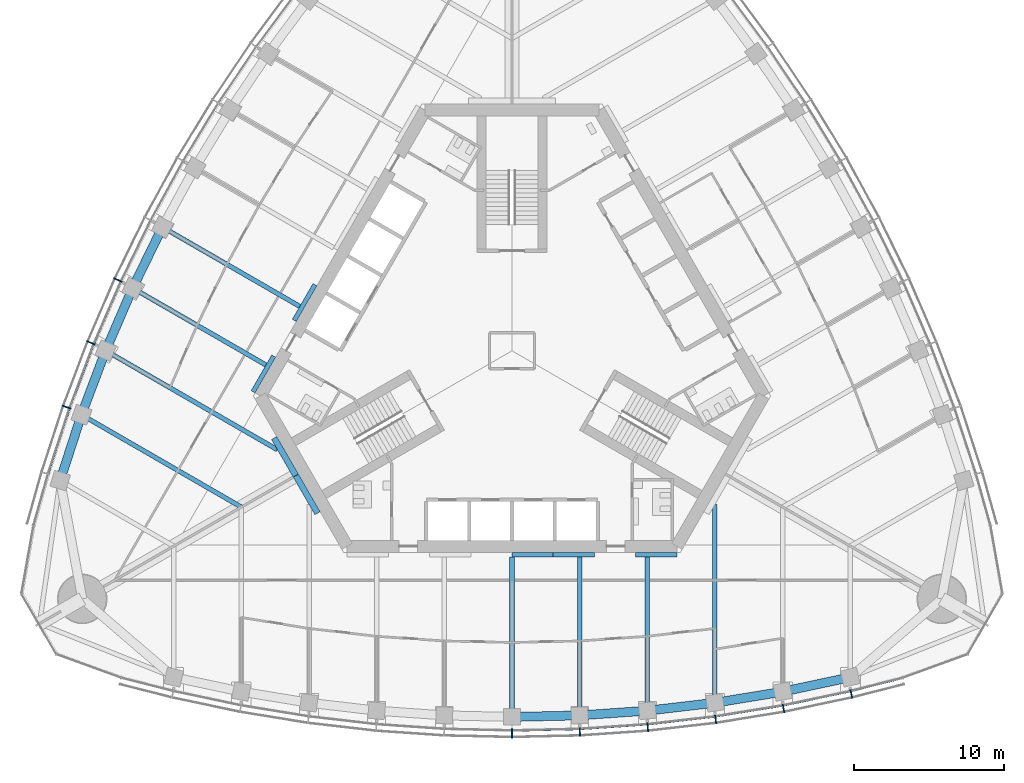
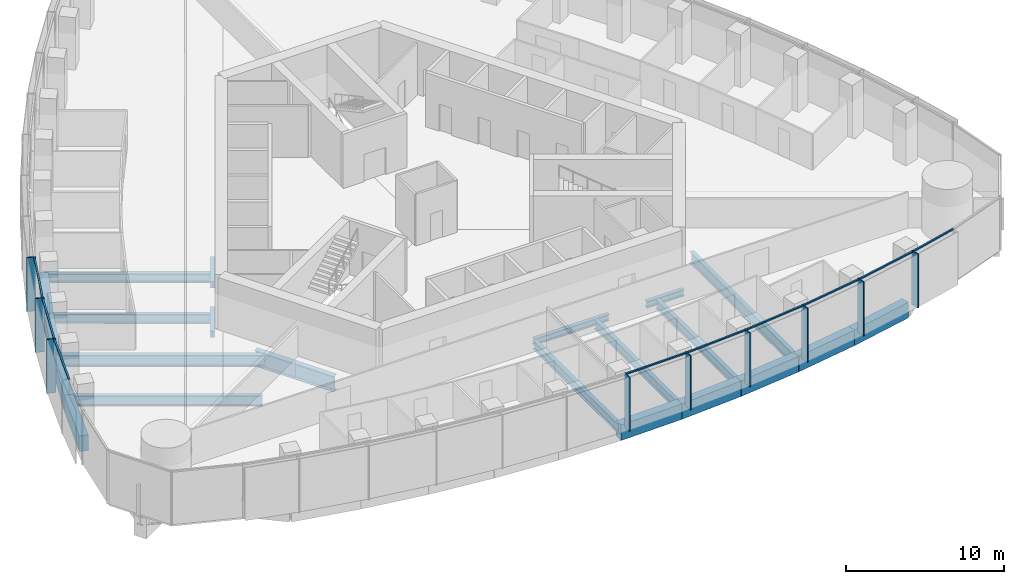
# One storey, part 3 of 20: 24 beams, 18 members, 2 elements without a shape of their own.
"""IFC4 building model written with IfcOpenShell, lengths in metres."""

from ifc_helpers import new_model, si_unit, direction, frame, origin, origin_2d, place, context, subcontext, project, spatial, rectangle, i_section, extrude, material, material_profile, profile_set, type_object, element, aggregate, save


model = new_model("IFC4")

# Units and contexts
model_context = context("Model", 3, precision=1e-05, world=origin(), true_north=direction((0.0, 1.0)))
body_context = subcontext(model_context, "Body", "Model", "MODEL_VIEW")
ifc_project = project(units=[si_unit("LENGTHUNIT", "METRE"), si_unit("AREAUNIT", "SQUARE_METRE"), si_unit("VOLUMEUNIT", "CUBIC_METRE"), si_unit("PLANEANGLEUNIT", "RADIAN"), si_unit("MASSUNIT", "GRAM", prefix="KILO")], contexts=[model_context])

# Site, building, storey
site_placement = place(None, origin())
site = spatial("IfcSite", under=ifc_project, at=site_placement, CompositionType="ELEMENT")
building_placement = place(site_placement, origin())
building = spatial("IfcBuilding", under=site, at=building_placement, Name="Trefoil Bronze Tower", CompositionType="ELEMENT")
storey_placement = place(building_placement, frame((0.0, 0.0, 214.89990234375)))
storey = spatial("IfcBuildingStorey", under=building, at=storey_placement, Name="L49", CompositionType="ELEMENT", Elevation=214.89990234375)

# Curtain wall, members
ifc_material_1 = material(Name="Tinted solar-control glass", Category="glass")
curtain_wall_type = type_object("IfcCurtainWallType", Name="Bronze office curtain wall", PredefinedType="USERDEFINED", material=ifc_material_1)
curtain_wall_1_placement = place(storey_placement, origin())
curtain_wall_1 = element("IfcCurtainWall", 1, at=curtain_wall_1_placement, inside=storey, type_object=curtain_wall_type, Name="CW-A L49 F1", ObjectType="CURTAIN WALL", PredefinedType="USERDEFINED")
ifc_material_2 = material(Name="Bronze-finish aluminium", Category="aluminium")
ifc_material_profile_1 = material_profile(ifc_material_2, rectangle(XDim=0.60009765625, YDim=0.080078125, at=origin_2d()), Name="CW-A mullion")
ifc_profile_set_1 = profile_set([ifc_material_profile_1], Name="Bronze-finish aluminium")
member_type_1 = type_object("IfcMemberType", Name="Bronze office curtain wall mullion", PredefinedType="MULLION", material=ifc_profile_set_1)
member_1_placement = place(storey_placement, frame((0.0, -25.45068359375, 0.0), z_axis=(0.0, 0.0, 1.0), x_axis=(0.0, 1.0, 0.0)))
member_1 = element("IfcMember", 2, at=member_1_placement, type_object=member_type_1, Name="CW-A L49 F1 mullion 7", PredefinedType="MULLION", context=body_context, shape_type="SweptSolid", body=[
    extrude(rectangle(XDim=0.60009765625, YDim=0.080078125, at=origin_2d()), origin(), (0.0, 0.0, 1.0), 4.18017578125),
])
member_2_placement = place(storey_placement, frame((4.513671875, -25.346923828125, 0.0), z_axis=(0.0, 0.0, 1.0), x_axis=(-0.045955542372, 0.998943485952, 0.0)))
member_2 = element("IfcMember", 3, at=member_2_placement, type_object=member_type_1, Name="CW-A L49 F1 mullion 8", PredefinedType="MULLION", context=body_context, shape_type="SweptSolid", body=[
    extrude(rectangle(XDim=0.60009765625, YDim=0.080078125, at=origin_2d()), origin(), (0.0, 0.0, 1.0), 4.18017578125),
])
member_3_placement = place(storey_placement, frame((9.027587890625, -25.03515625, 0.0), z_axis=(0.0, 0.0, 1.0), x_axis=(-0.091911396394, 0.995767189263, 0.0)))
member_3 = element("IfcMember", 4, at=member_3_placement, type_object=member_type_1, Name="CW-A L49 F1 mullion 9", PredefinedType="MULLION", context=body_context, shape_type="SweptSolid", body=[
    extrude(rectangle(XDim=0.60009765625, YDim=0.080078125, at=origin_2d()), origin(), (0.0, 0.0, 1.0), 4.18017578125),
])
member_4_placement = place(storey_placement, frame((13.541259765625, -24.51318359375, 0.0), z_axis=(0.0, 0.0, 1.0), x_axis=(-0.137867887204, 0.990450627582, 0.0)))
member_4 = element("IfcMember", 5, at=member_4_placement, type_object=member_type_1, Name="CW-A L49 F1 mullion 10", PredefinedType="MULLION", context=body_context, shape_type="SweptSolid", body=[
    extrude(rectangle(XDim=0.60009765625, YDim=0.080078125, at=origin_2d()), origin(), (0.0, 0.0, 1.0), 4.18017578125),
])
member_5_placement = place(storey_placement, frame((18.05517578125, -23.77783203125, 0.0), z_axis=(0.0, 0.0, 1.0), x_axis=(-0.183825368167, 0.982958917767, 0.0)))
member_5 = element("IfcMember", 6, at=member_5_placement, type_object=member_type_1, Name="CW-A L49 F1 mullion 11", PredefinedType="MULLION", context=body_context, shape_type="SweptSolid", body=[
    extrude(rectangle(XDim=0.60009765625, YDim=0.080078125, at=origin_2d()), origin(), (0.0, 0.0, 1.0), 4.18017578125),
])
member_6_placement = place(storey_placement, frame((22.568115234375, -22.82421875, 0.0), z_axis=(0.0, 0.0, 1.0), x_axis=(-0.227082662569, 0.973875487093, 0.0)))
member_6 = element("IfcMember", 7, at=member_6_placement, type_object=member_type_1, Name="CW-A L49 F1 mullion 12", PredefinedType="MULLION", context=body_context, shape_type="SweptSolid", body=[
    extrude(rectangle(XDim=0.60009765625, YDim=0.080078125, at=origin_2d()), origin(), (0.0, 0.0, 1.0), 4.18017578125),
])

curtain_wall_2_placement = place(storey_placement, origin())
curtain_wall_2 = element("IfcCurtainWall", 8, at=curtain_wall_2_placement, inside=storey, type_object=curtain_wall_type, Name="CW-A L49 F3", ObjectType="CURTAIN WALL", PredefinedType="USERDEFINED")
member_7_placement = place(storey_placement, frame((-26.19482421875, 4.699462890625, 0.0), z_axis=(0.0, 0.0, 1.0), x_axis=(0.908315380354, -0.418285990457, 0.0)))
member_7 = element("IfcMember", 9, at=member_7_placement, type_object=member_type_1, Name="CW-A L49 F3 mullion 9", PredefinedType="MULLION", context=body_context, shape_type="SweptSolid", body=[
    extrude(rectangle(XDim=0.60009765625, YDim=0.080078125, at=origin_2d()), origin(), (0.0, 0.0, 1.0), 4.18017578125),
])
member_8_placement = place(storey_placement, frame((-27.999755859375, 0.529541015625, 0.0), z_axis=(0.0, 0.0, 1.0), x_axis=(0.926689348282, -0.375828221106, 0.0)))
member_8 = element("IfcMember", 10, at=member_8_placement, type_object=member_type_1, Name="CW-A L49 F3 mullion 10", PredefinedType="MULLION", context=body_context, shape_type="SweptSolid", body=[
    extrude(rectangle(XDim=0.60009765625, YDim=0.080078125, at=origin_2d()), origin(), (0.0, 0.0, 1.0), 4.18017578125),
])
member_9_placement = place(storey_placement, frame((-29.619873046875, -3.747314453125, 0.0), z_axis=(0.0, 0.0, 1.0), x_axis=(0.943180077746, -0.332282020191, 0.0)))
member_9 = element("IfcMember", 11, at=member_9_placement, type_object=member_type_1, Name="CW-A L49 F3 mullion 11", PredefinedType="MULLION", context=body_context, shape_type="SweptSolid", body=[
    extrude(rectangle(XDim=0.60009765625, YDim=0.080078125, at=origin_2d()), origin(), (0.0, 0.0, 1.0), 4.18017578125),
])

# Member
ifc_material_3 = material(Name="Bronze-finish aluminium", Category="aluminium")
ifc_material_profile_2 = material_profile(ifc_material_3, rectangle(XDim=0.1201171875, YDim=0.10009765625, at=origin_2d()), Name="CW-A transom")
ifc_profile_set_2 = profile_set([ifc_material_profile_2], Name="Bronze-finish aluminium")
member_type_2 = type_object("IfcMemberType", Name="Bronze office curtain wall transom", PredefinedType="USERDEFINED", material=ifc_profile_set_2)
member_10_placement = place(storey_placement, frame((0.042236328125, -25.249755859375, 4.130126953125), z_axis=(0.999736131416, 0.022971015226, 0.0), x_axis=(-0.022971015226, 0.999736131416, 0.0)))
member_10 = element("IfcMember", 12, at=member_10_placement, type_object=member_type_2, Name="CW-A L49 F1 transom 7", ObjectType="TRANSOM", PredefinedType="USERDEFINED", context=body_context, shape_type="SweptSolid", body=[
    extrude(rectangle(XDim=0.1201171875, YDim=0.10009765625, at=origin_2d()), origin(), (0.0, 0.0, 1.0), 4.42138671875),
])

member_11_placement = place(storey_placement, frame((4.546875, -25.144287109375, 4.130126953125), z_axis=(0.997621320987, 0.06893257512, 0.0), x_axis=(-0.06893257512, 0.997621320987, 0.0)))
member_11 = element("IfcMember", 13, at=member_11_placement, type_object=member_type_2, Name="CW-A L49 F1 transom 8", ObjectType="TRANSOM", PredefinedType="USERDEFINED", context=body_context, shape_type="SweptSolid", body=[
    extrude(rectangle(XDim=0.1201171875, YDim=0.10009765625, at=origin_2d()), origin(), (0.0, 0.0, 1.0), 4.4306640625),
])

member_12_placement = place(storey_placement, frame((9.05126953125, -24.8310546875, 4.130126953125), z_axis=(0.993384885596, 0.114832352013, 0.0), x_axis=(-0.114832352013, 0.993384885596, 0.0)))
member_12 = element("IfcMember", 14, at=member_12_placement, type_object=member_type_2, Name="CW-A L49 F1 transom 9", ObjectType="TRANSOM", PredefinedType="USERDEFINED", context=body_context, shape_type="SweptSolid", body=[
    extrude(rectangle(XDim=0.1201171875, YDim=0.10009765625, at=origin_2d()), origin(), (0.0, 0.0, 1.0), 4.449951171875),
])

member_13_placement = place(storey_placement, frame((13.5556640625, -24.308349609375, 4.130126953125), z_axis=(0.986988367046, 0.160791676761, 0.0), x_axis=(-0.160791676761, 0.986988367046, 0.0)))
member_13 = element("IfcMember", 15, at=member_13_placement, type_object=member_type_2, Name="CW-A L49 F1 transom 10", ObjectType="TRANSOM", PredefinedType="USERDEFINED", context=body_context, shape_type="SweptSolid", body=[
    extrude(rectangle(XDim=0.1201171875, YDim=0.10009765625, at=origin_2d()), origin(), (0.0, 0.0, 1.0), 4.479248046875),
])

member_14_placement = place(storey_placement, frame((18.059814453125, -23.572509765625, 4.130126953125), z_axis=(0.978395325657, 0.20674280334, 0.0), x_axis=(-0.20674280334, 0.978395325657, 0.0)))
member_14 = element("IfcMember", 16, at=member_14_placement, type_object=member_type_2, Name="CW-A L49 F1 transom 11", ObjectType="TRANSOM", PredefinedType="USERDEFINED", context=body_context, shape_type="SweptSolid", body=[
    extrude(rectangle(XDim=0.1201171875, YDim=0.10009765625, at=origin_2d()), origin(), (0.0, 0.0, 1.0), 4.519287109375),
])

member_15_placement = place(storey_placement, frame((22.5634765625, -22.618896484375, 4.130126953125), z_axis=(0.968935220916, 0.247314653162, 0.0), x_axis=(-0.247314653162, 0.968935220916, 0.0)))
member_15 = element("IfcMember", 17, at=member_15_placement, type_object=member_type_2, Name="CW-A L49 F1 transom 12", ObjectType="TRANSOM", PredefinedType="USERDEFINED", context=body_context, shape_type="SweptSolid", body=[
    extrude(rectangle(XDim=0.1201171875, YDim=0.10009765625, at=origin_2d()), origin(), (0.0, 0.0, 1.0), 3.483642578125),
])

aggregate(curtain_wall_1, [member_1, member_2, member_3, member_4, member_5, member_6, member_10, member_11, member_12, member_13, member_14, member_15])

member_16_placement = place(storey_placement, frame((-26.030029296875, 4.576904296875, 4.130126953125), z_axis=(-0.397220936772, -0.917723012346, 0.0), x_axis=(0.917723012346, -0.397220936772, 0.0)))
member_16 = element("IfcMember", 18, at=member_16_placement, type_object=member_type_2, Name="CW-A L49 F3 transom 9", ObjectType="TRANSOM", PredefinedType="USERDEFINED", context=body_context, shape_type="SweptSolid", body=[
    extrude(rectangle(XDim=0.1201171875, YDim=0.10009765625, at=origin_2d()), origin(), (0.0, 0.0, 1.0), 4.449951171875),
])

member_17_placement = place(storey_placement, frame((-27.829345703125, 0.414794921875, 4.130126953125), z_axis=(-0.354263170896, -0.935145767112, 0.0), x_axis=(0.935145767112, -0.354263170896, 0.0)))
member_17 = element("IfcMember", 19, at=member_17_placement, type_object=member_type_2, Name="CW-A L49 F3 transom 10", ObjectType="TRANSOM", PredefinedType="USERDEFINED", context=body_context, shape_type="SweptSolid", body=[
    extrude(rectangle(XDim=0.1201171875, YDim=0.10009765625, at=origin_2d()), origin(), (0.0, 0.0, 1.0), 4.4794921875),
])

member_18_placement = place(storey_placement, frame((-29.4443359375, -3.85400390625, 4.130126953125), z_axis=(-0.310127806788, -0.950694874004, 0.0), x_axis=(0.950694874004, -0.310127806788, 0.0)))
member_18 = element("IfcMember", 20, at=member_18_placement, type_object=member_type_2, Name="CW-A L49 F3 transom 11", ObjectType="TRANSOM", PredefinedType="USERDEFINED", context=body_context, shape_type="SweptSolid", body=[
    extrude(rectangle(XDim=0.1201171875, YDim=0.10009765625, at=origin_2d()), origin(), (0.0, 0.0, 1.0), 4.51953125),
])

aggregate(curtain_wall_2, [member_7, member_8, member_9, member_16, member_17, member_18])

# Beams
ifc_material_4 = material(Name="Steel C355", Category="steel")
ifc_material_profile_3 = material_profile(ifc_material_4, i_section(OverallWidth=0.300048828125, OverallDepth=0.5, WebThickness=0.014404296875, FlangeThickness=0.028076171875, FilletRadius=0.027099609375, at=origin_2d()), Name="HEB 500")
ifc_profile_set_3 = profile_set([ifc_material_profile_3], Name="Steel C355")
beam_type_1 = type_object("IfcBeamType", Name="Core seat beam HEB 500", PredefinedType="BEAM", material=ifc_profile_set_3)
for number, where, z_axis, x_axis, name in (
    (21, (0.0, -13.550048828125, -0.449951171875), (1.0, 0.0, 0.0), (0.0, 1.0, 0.0), "Core seat beam F1/+0 L49"),
    (22, (2.742431640625, -13.550048828125, -0.449951171875), (1.0, 0.0, 0.0), (0.0, 1.0, 0.0), "Core seat beam F1/+1 L49"),
    (23, (8.227294921875, -13.550048828125, -0.449951171875), (1.0, 0.0, 0.0), (0.0, 1.0, 0.0), "Core seat beam F1/+2 L49"),
    (24, (-13.10595703125, 4.39990234375, -0.449951171875), (-0.499969057507, -0.866043267704, 0.0), (0.866043267704, -0.499969057507, 0.0), "Core seat beam F3/+1 L49"),
    (25, (-15.84814453125, -0.35009765625, -0.449951171875), (-0.500035825175, -0.866004719122, 0.0), (0.866004719122, -0.500035825175, 0.0), "Core seat beam F3/+2 L49"),
):
    element("IfcBeam", number, at=place(storey_placement, frame(where, z_axis=z_axis, x_axis=x_axis)), inside=storey, type_object=beam_type_1, Name=name, PredefinedType="BEAM", context=body_context, shape_type="SweptSolid", body=[
        extrude(i_section(OverallWidth=0.300048828125, OverallDepth=0.5, WebThickness=0.014404296875, FlangeThickness=0.028076171875, FilletRadius=0.027099609375, at=origin_2d()), origin(), (0.0, 0.0, 1.0), 2.742431640625),
    ])
ifc_material_5 = material(Name="Steel C355", Category="steel")
ifc_material_profile_4 = material_profile(ifc_material_5, i_section(OverallWidth=0.39990234375, OverallDepth=1.199951171875, WebThickness=0.02001953125, FlangeThickness=0.0400390625, FilletRadius=0.010009765625, at=origin_2d()), Name="WPG 1200")
ifc_profile_set_4 = profile_set([ifc_material_profile_4], Name="Steel C355")
beam_type_2 = type_object("IfcBeamType", Name="Core seat beam WPG 1200", PredefinedType="BEAM", material=ifc_profile_set_4)
for number, where, z_axis, x_axis, name in (
    (26, (-14.3759765625, -8.300048828125, -0.7998046875), (0.499995765644, -0.866027848477, 0.0), (0.866027848477, 0.499995765644, 0.0), "Core seat beam F1/-3 L49"),
    (27, (-15.8193359375, -5.800048828125, -0.7998046875), (0.499995765644, -0.866027848477, 0.0), (0.866027848477, 0.499995765644, 0.0), "Core seat beam F3/+3 L49"),
):
    element("IfcBeam", number, at=place(storey_placement, frame(where, z_axis=z_axis, x_axis=x_axis)), inside=storey, type_object=beam_type_2, Name=name, PredefinedType="BEAM", context=body_context, shape_type="SweptSolid", body=[
        extrude(i_section(OverallWidth=0.39990234375, OverallDepth=1.199951171875, WebThickness=0.02001953125, FlangeThickness=0.0400390625, FilletRadius=0.010009765625, at=origin_2d()), origin(), (0.0, 0.0, 1.0), 2.88671875),
    ])
ifc_material_6 = material(Name="Steel C355", Category="steel")
ifc_material_profile_5 = material_profile(ifc_material_6, i_section(OverallWidth=0.300048828125, OverallDepth=0.699951171875, WebThickness=0.01708984375, FlangeThickness=0.031982421875, FilletRadius=0.027099609375, at=origin_2d()), Name="HEB 700")
ifc_profile_set_5 = profile_set([ifc_material_profile_5], Name="Steel C355")
beam_type_3 = type_object("IfcBeamType", Name="Floor beam HEB 700", PredefinedType="BEAM", material=ifc_profile_set_5)
beam_1_placement = place(storey_placement, frame((0.0, -24.3505859375, -0.5498046875), z_axis=(0.0, 1.0, 0.0), x_axis=(-1.0, 0.0, 0.0)))
element("IfcBeam", 28, at=beam_1_placement, inside=storey, type_object=beam_type_3, Name="Floor beam F1/+0 L49", PredefinedType="BEAM", context=body_context, shape_type="SweptSolid", body=[
    extrude(i_section(OverallWidth=0.300048828125, OverallDepth=0.699951171875, WebThickness=0.01708984375, FlangeThickness=0.031982421875, FilletRadius=0.027099609375, at=origin_2d()), origin(), (0.0, 0.0, 1.0), 10.650634765625),
])
beam_2_placement = place(storey_placement, frame((4.5, -24.246337890625, -0.5498046875), z_axis=(0.0, 1.0, 0.0), x_axis=(-1.0, 0.0, 0.0)))
element("IfcBeam", 29, at=beam_2_placement, inside=storey, type_object=beam_type_3, Name="Floor beam F1/+1 L49", PredefinedType="BEAM", context=body_context, shape_type="SweptSolid", body=[
    extrude(i_section(OverallWidth=0.300048828125, OverallDepth=0.699951171875, WebThickness=0.01708984375, FlangeThickness=0.031982421875, FilletRadius=0.027099609375, at=origin_2d()), origin(), (0.0, 0.0, 1.0), 10.54638671875),
])
beam_3_placement = place(storey_placement, frame((9.0, -23.932861328125, -0.5498046875), z_axis=(0.0, 1.0, 0.0), x_axis=(-1.0, 0.0, 0.0)))
element("IfcBeam", 30, at=beam_3_placement, inside=storey, type_object=beam_type_3, Name="Floor beam F1/+2 L49", PredefinedType="BEAM", context=body_context, shape_type="SweptSolid", body=[
    extrude(i_section(OverallWidth=0.300048828125, OverallDepth=0.699951171875, WebThickness=0.01708984375, FlangeThickness=0.031982421875, FilletRadius=0.027099609375, at=origin_2d()), origin(), (0.0, 0.0, 1.0), 10.23291015625),
])
beam_4_placement = place(storey_placement, frame((-23.248046875, 8.22607421875, -0.5498046875), z_axis=(0.866027918957, -0.499995643569, 0.0), x_axis=(0.499995643569, 0.866027918957, 0.0)))
element("IfcBeam", 31, at=beam_4_placement, inside=storey, type_object=beam_type_3, Name="Floor beam F3/+1 L49", PredefinedType="BEAM", context=body_context, shape_type="SweptSolid", body=[
    extrude(i_section(OverallWidth=0.300048828125, OverallDepth=0.699951171875, WebThickness=0.01708984375, FlangeThickness=0.031982421875, FilletRadius=0.027099609375, at=origin_2d()), origin(), (0.0, 0.0, 1.0), 10.54638671875),
])
beam_5_placement = place(storey_placement, frame((-25.2265625, 4.17236328125, -0.5498046875), z_axis=(0.866017525653, -0.500013645076, 0.0), x_axis=(0.500013645076, 0.866017525653, 0.0)))
element("IfcBeam", 32, at=beam_5_placement, inside=storey, type_object=beam_type_3, Name="Floor beam F3/+2 L49", PredefinedType="BEAM", context=body_context, shape_type="SweptSolid", body=[
    extrude(i_section(OverallWidth=0.300048828125, OverallDepth=0.699951171875, WebThickness=0.01708984375, FlangeThickness=0.031982421875, FilletRadius=0.027099609375, at=origin_2d()), origin(), (0.0, 0.0, 1.0), 10.233154296875),
])
ifc_material_7 = material(Name="Steel C355", Category="steel")
ifc_material_profile_6 = material_profile(ifc_material_7, i_section(OverallWidth=0.300048828125, OverallDepth=0.800048828125, WebThickness=0.017578125, FlangeThickness=0.032958984375, FilletRadius=0.030029296875, at=origin_2d()), Name="HEB 800")
ifc_profile_set_6 = profile_set([ifc_material_profile_6], Name="Steel C355")
beam_type_4 = type_object("IfcBeamType", Name="Floor beam HEB 800", PredefinedType="BEAM", material=ifc_profile_set_6)
beam_6_placement = place(storey_placement, frame((-28.632080078125, -4.25390625, -0.599853515625), z_axis=(0.866025635187, -0.499999599199, 0.0), x_axis=(0.499999599199, 0.866025635187, 0.0)))
element("IfcBeam", 33, at=beam_6_placement, inside=storey, type_object=beam_type_4, Name="Floor beam F3/+4 L49", PredefinedType="BEAM", context=body_context, shape_type="SweptSolid", body=[
    extrude(i_section(OverallWidth=0.300048828125, OverallDepth=0.800048828125, WebThickness=0.017578125, FlangeThickness=0.032958984375, FilletRadius=0.030029296875, at=origin_2d()), origin(), (0.0, 0.0, 1.0), 12.27685546875),
])
ifc_material_8 = material(Name="Steel C355", Category="steel")
ifc_material_profile_7 = material_profile(ifc_material_8, i_section(OverallWidth=0.300048828125, OverallDepth=0.89990234375, WebThickness=0.0185546875, FlangeThickness=0.034912109375, FilletRadius=0.030029296875, at=origin_2d()), Name="HEB 900")
ifc_profile_set_7 = profile_set([ifc_material_profile_7], Name="Steel C355")
beam_type_5 = type_object("IfcBeamType", Name="Floor beam HEB 900", PredefinedType="BEAM", material=ifc_profile_set_7)
for number, where, z_axis, x_axis, name in (
    (34, (13.5, -23.408447265625, -0.64990234375), (0.0, 1.0, 0.0), (-1.0, 0.0, 0.0), "Floor beam F1/+3 L49"),
    (35, (-27.022216796875, 0.012939453125, -0.64990234375), (0.866020385251, -0.500008692254, 0.0), (0.500008692254, 0.866020385251, 0.0), "Floor beam F3/+3 L49"),
):
    element("IfcBeam", number, at=place(storey_placement, frame(where, z_axis=z_axis, x_axis=x_axis)), inside=storey, type_object=beam_type_5, Name=name, PredefinedType="BEAM", context=body_context, shape_type="SweptSolid", body=[
        extrude(i_section(OverallWidth=0.300048828125, OverallDepth=0.89990234375, WebThickness=0.0185546875, FlangeThickness=0.034912109375, FilletRadius=0.030029296875, at=origin_2d()), origin(), (0.0, 0.0, 1.0), 13.191162109375),
    ])
ifc_material_9 = material(Name="Concrete B80", Category="concrete")
ifc_material_profile_8 = material_profile(ifc_material_9, rectangle(XDim=0.60009765625, YDim=1.199951171875, at=origin_2d()), Name="RC 600x1200")
ifc_profile_set_8 = profile_set([ifc_material_profile_8], Name="Concrete B80")
beam_type_6 = type_object("IfcBeamType", Name="Spandrel beam RC 600x1200", PredefinedType="SPANDREL", material=ifc_profile_set_8)
beam_7_placement = place(storey_placement, frame((0.0, -24.3505859375, -0.7998046875), z_axis=(0.999731770792, 0.023160018779, 0.0), x_axis=(-0.023160018779, 0.999731770792, 0.0)))
element("IfcBeam", 36, at=beam_7_placement, inside=storey, type_object=beam_type_6, Name="Spandrel F1.7 L49", PredefinedType="SPANDREL", context=body_context, shape_type="SweptSolid", body=[
    extrude(rectangle(XDim=0.60009765625, YDim=1.199951171875, at=origin_2d()), origin(), (0.0, 0.0, 1.0), 4.501220703125),
])
beam_8_placement = place(storey_placement, frame((4.5, -24.246337890625, -0.7998046875), z_axis=(0.997582435881, 0.069493047291, 0.0), x_axis=(-0.069493047291, 0.997582435881, 0.0)))
element("IfcBeam", 37, at=beam_8_placement, inside=storey, type_object=beam_type_6, Name="Spandrel F1.8 L49", PredefinedType="SPANDREL", context=body_context, shape_type="SweptSolid", body=[
    extrude(rectangle(XDim=0.60009765625, YDim=1.199951171875, at=origin_2d()), origin(), (0.0, 0.0, 1.0), 4.510986328125),
])
beam_9_placement = place(storey_placement, frame((9.0, -23.932861328125, -0.7998046875), z_axis=(0.993278017132, 0.115753102257, 0.0), x_axis=(-0.115753102257, 0.993278017132, 0.0)))
element("IfcBeam", 38, at=beam_9_placement, inside=storey, type_object=beam_type_6, Name="Spandrel F1.9 L49", PredefinedType="SPANDREL", context=body_context, shape_type="SweptSolid", body=[
    extrude(rectangle(XDim=0.60009765625, YDim=1.199951171875, at=origin_2d()), origin(), (0.0, 0.0, 1.0), 4.530517578125),
])
beam_10_placement = place(storey_placement, frame((13.5, -23.408447265625, -0.7998046875), z_axis=(0.986764681833, 0.162158757664, 0.0), x_axis=(-0.162158757664, 0.986764681833, 0.0)))
element("IfcBeam", 39, at=beam_10_placement, inside=storey, type_object=beam_type_6, Name="Spandrel F1.10 L49", PredefinedType="SPANDREL", context=body_context, shape_type="SweptSolid", body=[
    extrude(rectangle(XDim=0.60009765625, YDim=1.199951171875, at=origin_2d()), origin(), (0.0, 0.0, 1.0), 4.560302734375),
])
beam_11_placement = place(storey_placement, frame((18.0, -22.6689453125, -0.7998046875), z_axis=(0.978059483036, 0.208325820877, 0.0), x_axis=(-0.208325820877, 0.978059483036, 0.0)))
element("IfcBeam", 40, at=beam_11_placement, inside=storey, type_object=beam_type_6, Name="Spandrel F1.11 L49", PredefinedType="SPANDREL", context=body_context, shape_type="SweptSolid", body=[
    extrude(rectangle(XDim=0.60009765625, YDim=1.199951171875, at=origin_2d()), origin(), (0.0, 0.0, 1.0), 4.600830078125),
])
beam_12_placement = place(storey_placement, frame((-23.248046875, 8.22607421875, -0.7998046875), z_axis=(-0.438619830351, -0.898672712629, 0.0), x_axis=(0.898672712629, -0.438619830351, 0.0)))
element("IfcBeam", 41, at=beam_12_placement, inside=storey, type_object=beam_type_6, Name="Spandrel F3.8 L49", PredefinedType="SPANDREL", context=body_context, shape_type="SweptSolid", body=[
    extrude(rectangle(XDim=0.60009765625, YDim=1.199951171875, at=origin_2d()), origin(), (0.0, 0.0, 1.0), 4.5107421875),
])
beam_13_placement = place(storey_placement, frame((-25.2265625, 4.17236328125, -0.7998046875), z_axis=(-0.396350337164, -0.918099346602, 0.0), x_axis=(0.918099346602, -0.396350337164, 0.0)))
element("IfcBeam", 42, at=beam_13_placement, inside=storey, type_object=beam_type_6, Name="Spandrel F3.9 L49", PredefinedType="SPANDREL", context=body_context, shape_type="SweptSolid", body=[
    extrude(rectangle(XDim=0.60009765625, YDim=1.199951171875, at=origin_2d()), origin(), (0.0, 0.0, 1.0), 4.530517578125),
])
beam_14_placement = place(storey_placement, frame((-27.022216796875, 0.012939453125, -0.7998046875), z_axis=(-0.353005969632, -0.935621069346, 0.0), x_axis=(0.935621069346, -0.353005969632, 0.0)))
element("IfcBeam", 43, at=beam_14_placement, inside=storey, type_object=beam_type_6, Name="Spandrel F3.10 L49", PredefinedType="SPANDREL", context=body_context, shape_type="SweptSolid", body=[
    extrude(rectangle(XDim=0.60009765625, YDim=1.199951171875, at=origin_2d()), origin(), (0.0, 0.0, 1.0), 4.560546875),
])
beam_15_placement = place(storey_placement, frame((-28.632080078125, -4.25390625, -0.7998046875), z_axis=(-0.308608505504, -0.951189145402, 0.0), x_axis=(0.951189145402, -0.308608505504, 0.0)))
element("IfcBeam", 44, at=beam_15_placement, inside=storey, type_object=beam_type_6, Name="Spandrel F3.11 L49", PredefinedType="SPANDREL", context=body_context, shape_type="SweptSolid", body=[
    extrude(rectangle(XDim=0.60009765625, YDim=1.199951171875, at=origin_2d()), origin(), (0.0, 0.0, 1.0), 4.60107421875),
])

save(model, "model.ifc")
